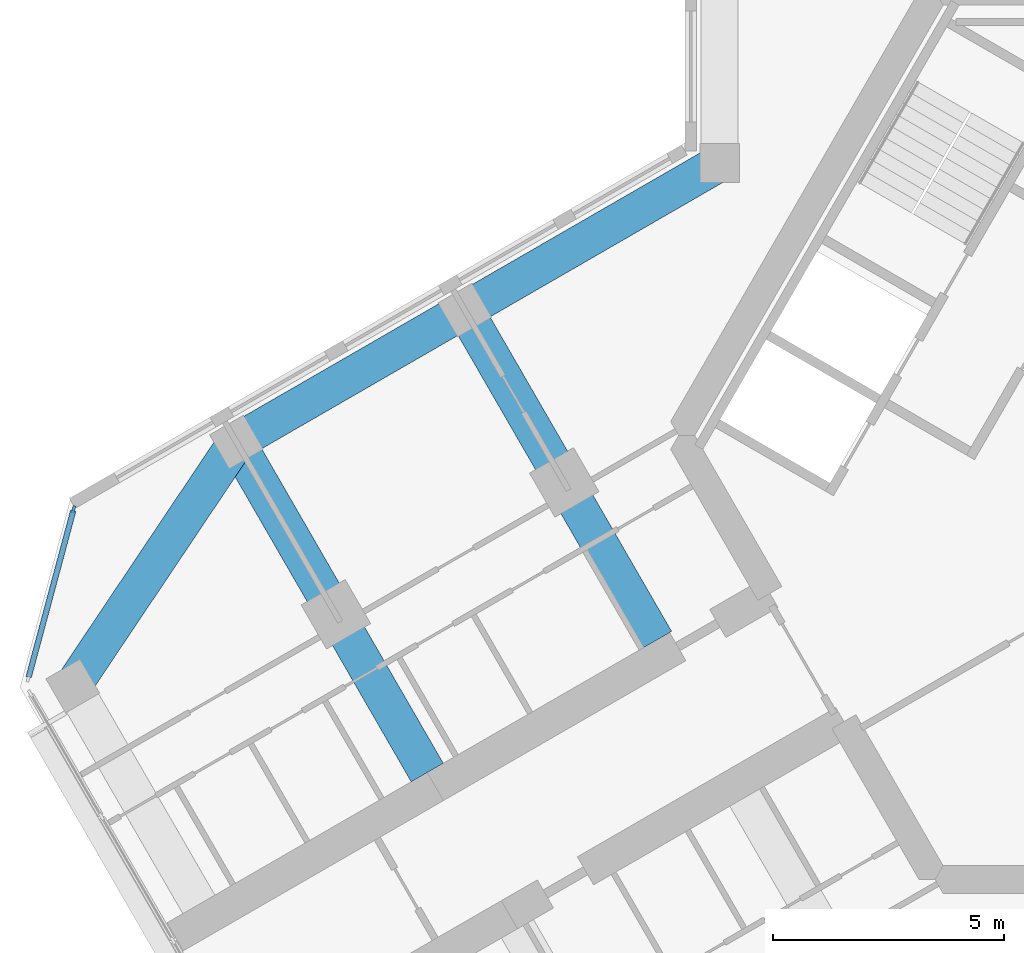
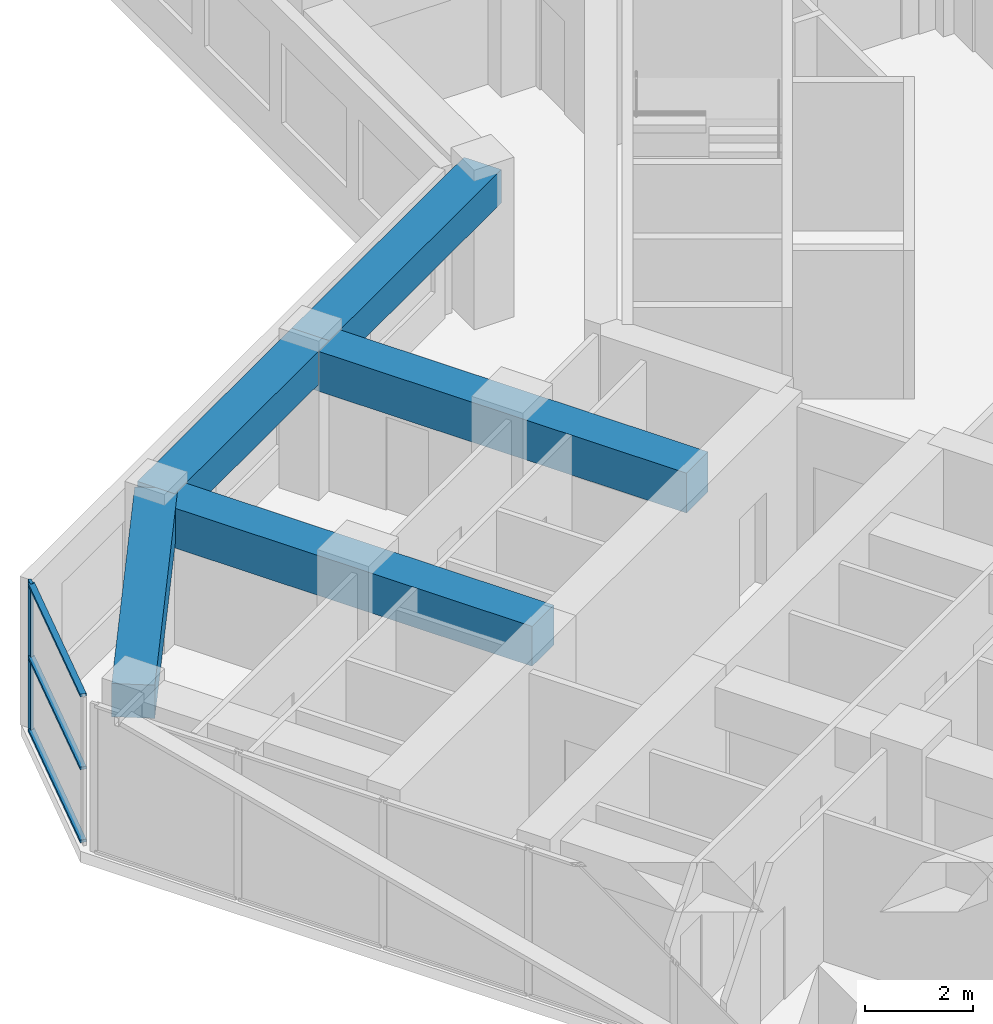
# One storey, part 3 of 16: 5 beams, 4 members, 1 element without a shape of its own.
"""IFC4 building model written with IfcOpenShell, lengths in metres."""

from ifc_helpers import new_model, si_unit, direction, frame, origin, origin_2d, place, context, subcontext, project, spatial, rectangle, extrude, material, material_profile, profile_set, type_object, element, aggregate, save


model = new_model("IFC4")

# Units and contexts
model_context = context("Model", 3, precision=1e-05, world=origin(), true_north=direction((0.0, 1.0)))
body_context = subcontext(model_context, "Body", "Model", "MODEL_VIEW")
ifc_project = project(units=[si_unit("LENGTHUNIT", "METRE"), si_unit("AREAUNIT", "SQUARE_METRE"), si_unit("VOLUMEUNIT", "CUBIC_METRE"), si_unit("PLANEANGLEUNIT", "RADIAN"), si_unit("MASSUNIT", "GRAM", prefix="KILO")], contexts=[model_context])

# Site, building, storey
site_placement = place(None, origin())
site = spatial("IfcSite", under=ifc_project, at=site_placement, CompositionType="ELEMENT")
building_placement = place(site_placement, origin())
building = spatial("IfcBuilding", under=site, at=building_placement, Name="Kosmar Iwan School Tower", CompositionType="ELEMENT")
storey_placement = place(building_placement, frame((0.0, 0.0, 235.199951171875)))
storey = spatial("IfcBuildingStorey", under=building, at=storey_placement, Name="L59", CompositionType="ELEMENT", Elevation=235.199951171875)

# Curtain wall, member
ifc_material_1 = material(Name="Dark glass in black aluminium frame", Category="aluminium")
curtain_wall_type = type_object("IfcCurtainWallType", Name="Chamfer curtain wall dark glass", PredefinedType="USERDEFINED", material=ifc_material_1)
curtain_wall_placement = place(storey_placement, origin())
curtain_wall = element("IfcCurtainWall", 1, at=curtain_wall_placement, inside=storey, type_object=curtain_wall_type, Name="Curtain wall L59-F10", ObjectType="FACETED CURTAIN WALL", PredefinedType="USERDEFINED")
ifc_material_2 = material(Name="Black anodised aluminium", Category="aluminium")
ifc_material_profile_1 = material_profile(ifc_material_2, rectangle(XDim=0.06005859375, YDim=0.159912109375, at=origin_2d()), Name="MULLION 60x160")
ifc_profile_set_1 = profile_set([ifc_material_profile_1], Name="Black anodised aluminium")
member_type_1 = type_object("IfcMemberType", Name="Mullion 60x160", PredefinedType="MULLION", material=ifc_profile_set_1)
member_1_placement = place(storey_placement, frame((-24.163818359375, -1.59814453125, 0.0), z_axis=(0.0, 0.0, 1.0), x_axis=(0.965925875495, -0.258818861462, 0.0)))
member_1 = element("IfcMember", 2, at=member_1_placement, type_object=member_type_1, Name="CW2 mullion 1", PredefinedType="MULLION", context=body_context, shape_type="SweptSolid", body=[
    extrude(rectangle(XDim=0.06005859375, YDim=0.159912109375, at=origin_2d()), origin(), (0.0, 0.0, 1.0), 3.35009765625),
])

# Beams
ifc_material_3 = material(Name="Concrete C50/60", Category="concrete")
ifc_material_profile_2 = material_profile(ifc_material_3, rectangle(XDim=0.800048828125, YDim=0.75, at=origin_2d()), Name="RC 800x750")
ifc_profile_set_2 = profile_set([ifc_material_profile_2], Name="Concrete C50/60")
beam_type_1 = type_object("IfcBeamType", Name="RC edge beam 800x750", PredefinedType="BEAM", material=ifc_profile_set_2)
beam_1_placement = place(storey_placement, frame((-10.199951171875, 5.888916015625, 2.97509765625), z_axis=(-0.866030912664, -0.49999045822, 0.0), x_axis=(0.49999045822, -0.866030912664, 0.0)))
element("IfcBeam", 3, at=beam_1_placement, inside=storey, type_object=beam_type_1, Name="Edge beam BR1", PredefinedType="BEAM", context=body_context, shape_type="SweptSolid", body=[
    extrude(rectangle(XDim=0.800048828125, YDim=0.75, at=origin_2d()), origin(), (0.0, 0.0, 1.0), 6.36083984375),
])
beam_2_placement = place(storey_placement, frame((-15.708740234375, 2.70849609375, 2.97509765625), z_axis=(-0.866025820012, -0.499999279071, 0.0), x_axis=(0.499999279071, -0.866025820012, 0.0)))
element("IfcBeam", 4, at=beam_2_placement, inside=storey, type_object=beam_type_1, Name="Edge beam BR2", PredefinedType="BEAM", context=body_context, shape_type="SweptSolid", body=[
    extrude(rectangle(XDim=0.800048828125, YDim=0.75, at=origin_2d()), origin(), (0.0, 0.0, 1.0), 5.7001953125),
])
ifc_material_4 = material(Name="Concrete C50/60", Category="concrete")
ifc_material_profile_3 = material_profile(ifc_material_4, rectangle(XDim=0.800048828125, YDim=0.75, at=origin_2d()), Name="RC 800x750")
ifc_profile_set_3 = profile_set([ifc_material_profile_3], Name="Concrete C50/60")
beam_type_2 = type_object("IfcBeamType", Name="RC tip beam 800x750", PredefinedType="BEAM", material=ifc_profile_set_3)
beam_3_placement = place(storey_placement, frame((-20.645263671875, -0.1416015625, 2.97509765625), z_axis=(-0.556827604145, -0.83062808721, 0.0), x_axis=(0.83062808721, -0.556827604145, 0.0)))
element("IfcBeam", 5, at=beam_3_placement, inside=storey, type_object=beam_type_2, Name="Tip beam BR", PredefinedType="BEAM", context=body_context, shape_type="SweptSolid", body=[
    extrude(rectangle(XDim=0.800048828125, YDim=0.75, at=origin_2d()), origin(), (0.0, 0.0, 1.0), 6.3505859375),
])
ifc_material_5 = material(Name="Concrete C50/60", Category="concrete")
ifc_material_profile_4 = material_profile(ifc_material_5, rectangle(XDim=0.800048828125, YDim=0.89990234375, at=origin_2d()), Name="RC 800x900")
ifc_profile_set_4 = profile_set([ifc_material_profile_4], Name="Concrete C50/60")
beam_type_3 = type_object("IfcBeamType", Name="RC transverse beam 800x900", PredefinedType="BEAM", material=ifc_profile_set_4)
beam_4_placement = place(storey_placement, frame((-15.708740234375, 2.70849609375, 2.900146484375), z_axis=(0.499996545922, -0.866027397988, 0.0), x_axis=(0.866027397988, 0.499996545922, 0.0)))
element("IfcBeam", 6, at=beam_4_placement, inside=storey, type_object=beam_type_3, Name="Transverse beam BR1", PredefinedType="BEAM", context=body_context, shape_type="SweptSolid", body=[
    extrude(rectangle(XDim=0.800048828125, YDim=0.89990234375, at=origin_2d()), origin(), (0.0, 0.0, 1.0), 8.25),
])
beam_5_placement = place(storey_placement, frame((-20.645263671875, -0.1416015625, 2.900146484375), z_axis=(0.500009360108, -0.866019999656, 0.0), x_axis=(0.866019999656, 0.500009360108, 0.0)))
element("IfcBeam", 7, at=beam_5_placement, inside=storey, type_object=beam_type_3, Name="Transverse beam BR2", PredefinedType="BEAM", context=body_context, shape_type="SweptSolid", body=[
    extrude(rectangle(XDim=0.800048828125, YDim=0.89990234375, at=origin_2d()), origin(), (0.0, 0.0, 1.0), 8.249755859375),
])

# Member
ifc_material_6 = material(Name="Black anodised aluminium", Category="aluminium")
ifc_material_profile_5 = material_profile(ifc_material_6, rectangle(XDim=0.1201171875, YDim=0.06005859375, at=origin_2d()), Name="TRANSOM 60x120")
ifc_profile_set_5 = profile_set([ifc_material_profile_5], Name="Black anodised aluminium")
member_type_2 = type_object("IfcMemberType", Name="Transom 60x120", PredefinedType="USERDEFINED", material=ifc_profile_set_5)
member_2_placement = place(storey_placement, frame((-24.17138671875, -1.627197265625, 0.030029296875), z_axis=(-0.258843273983, -0.965919333854, 0.0), x_axis=(0.965919333854, -0.258843273983, 0.0)))
member_2 = element("IfcMember", 8, at=member_2_placement, type_object=member_type_2, Name="CW2 transom 1.1", ObjectType="TRANSOM", PredefinedType="USERDEFINED", context=body_context, shape_type="SweptSolid", body=[
    extrude(rectangle(XDim=0.1201171875, YDim=0.06005859375, at=origin_2d()), origin(), (0.0, 0.0, 1.0), 3.718994140625),
])

member_3_placement = place(storey_placement, frame((-24.17138671875, -1.627197265625, 1.675048828125), z_axis=(-0.258843273983, -0.965919333854, 0.0), x_axis=(0.965919333854, -0.258843273983, 0.0)))
member_3 = element("IfcMember", 9, at=member_3_placement, type_object=member_type_2, Name="CW2 transom 1.2", ObjectType="TRANSOM", PredefinedType="USERDEFINED", context=body_context, shape_type="SweptSolid", body=[
    extrude(rectangle(XDim=0.1201171875, YDim=0.06005859375, at=origin_2d()), origin(), (0.0, 0.0, 1.0), 3.718994140625),
])

member_4_placement = place(storey_placement, frame((-24.17138671875, -1.627197265625, 3.320068359375), z_axis=(-0.258843273983, -0.965919333854, 0.0), x_axis=(0.965919333854, -0.258843273983, 0.0)))
member_4 = element("IfcMember", 10, at=member_4_placement, type_object=member_type_2, Name="CW2 transom 1.3", ObjectType="TRANSOM", PredefinedType="USERDEFINED", context=body_context, shape_type="SweptSolid", body=[
    extrude(rectangle(XDim=0.1201171875, YDim=0.06005859375, at=origin_2d()), origin(), (0.0, 0.0, 1.0), 3.718994140625),
])

aggregate(curtain_wall, [member_1, member_2, member_3, member_4])

save(model, "model.ifc")
